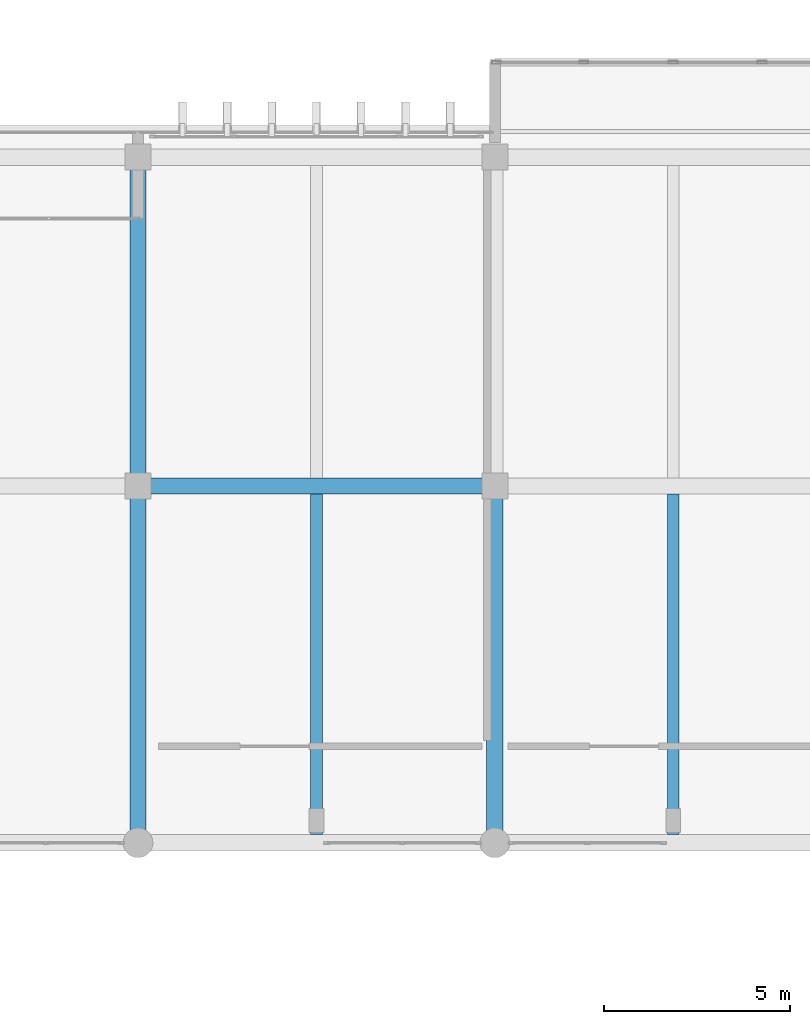
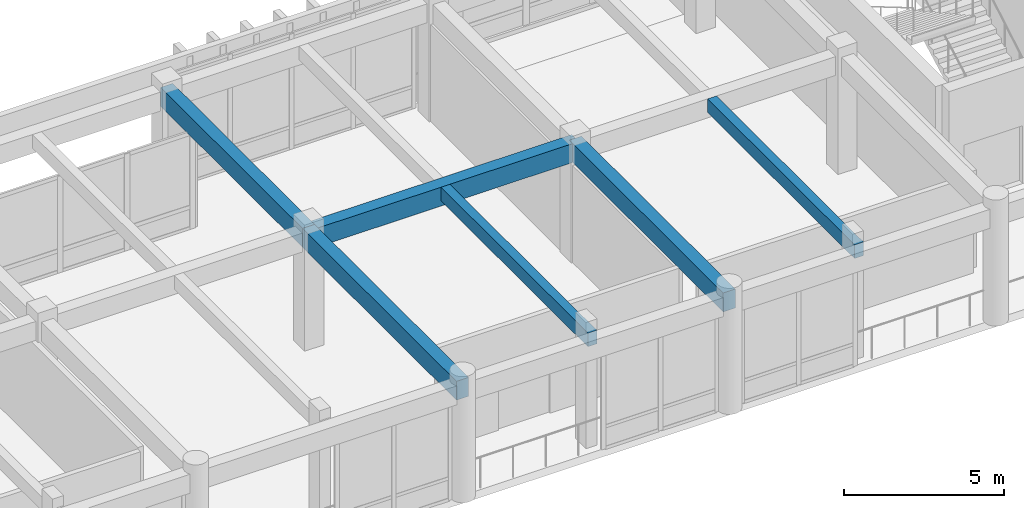
# One storey, part 43 of 133: 6 beams.
"""IFC4 building model written with IfcOpenShell, lengths in metres."""

from ifc_helpers import new_model, si_unit, direction, frame, origin, origin_2d, place, context, subcontext, project, spatial, rectangle, extrude, material, material_profile, profile_set, type_object, element, save


model = new_model("IFC4")

# Units and contexts
model_context = context("Model", 3, precision=1e-05, world=origin(), true_north=direction((0.0, 1.0)))
body_context = subcontext(model_context, "Body", "Model", "MODEL_VIEW")
ifc_project = project(units=[si_unit("LENGTHUNIT", "METRE"), si_unit("AREAUNIT", "SQUARE_METRE"), si_unit("VOLUMEUNIT", "CUBIC_METRE"), si_unit("PLANEANGLEUNIT", "RADIAN"), si_unit("MASSUNIT", "GRAM", prefix="KILO")], contexts=[model_context])

# Site, building, storey
site_placement = place(None, origin())
site = spatial("IfcSite", under=ifc_project, at=site_placement, CompositionType="ELEMENT")
building_placement = place(site_placement, origin())
building = spatial("IfcBuilding", under=site, at=building_placement, Name="Nakhvara Creek Congress Hotel", CompositionType="ELEMENT")
storey_placement = place(building_placement, frame((0.0, 0.0, 11.39990234375)))
storey = spatial("IfcBuildingStorey", under=building, at=storey_placement, Name="L02", CompositionType="ELEMENT", Elevation=11.39990234375)

# Beams
ifc_material = material(Name="Concrete C40/50", Category="concrete")
ifc_material_profile_1 = material_profile(ifc_material, rectangle(XDim=0.320068359375, YDim=0.52001953125, at=origin_2d()), Name="RC-BM 320x520", Category="LoadBearing")
ifc_profile_set_1 = profile_set([ifc_material_profile_1], Name="Concrete C40/50")
beam_type_1 = type_object("IfcBeamType", Name="BM-RC-320X520", PredefinedType="JOIST", material=ifc_profile_set_1)
for number, where, z_axis, x_axis, name in (
    (1, (100.800048828125, 77.02001953125, 4.16015625), (0.0, 1.0, 0.0), (-1.0, 0.0, 0.0), "Secondary Joist BJ2-L02-1678"),
    (2, (110.39990234375, 77.02001953125, 4.16015625), (0.0, 1.0, 0.0), (-1.0, 0.0, 0.0), "Secondary Joist BJ2-L02-1682"),
):
    element("IfcBeam", number, at=place(storey_placement, frame(where, z_axis=z_axis, x_axis=x_axis)), inside=storey, type_object=beam_type_1, Name=name, PredefinedType="JOIST", context=body_context, shape_type="SweptSolid", body=[
        extrude(rectangle(XDim=0.320068359375, YDim=0.52001953125, at=origin_2d()), origin(), (0.0, 0.0, 1.0), 9.159912109375),
    ])
ifc_material_profile_2 = material_profile(ifc_material, rectangle(XDim=0.43994140625, YDim=0.719970703125, at=origin_2d()), Name="RC-BM 440x720", Category="LoadBearing")
ifc_profile_set_2 = profile_set([ifc_material_profile_2], Name="Concrete C40/50")
beam_type_2 = type_object("IfcBeamType", Name="BM-RC-440X720", PredefinedType="BEAM", material=ifc_profile_set_2)
beam_1_placement = place(storey_placement, frame((96.0, 76.800048828125, 4.06005859375), z_axis=(0.0, 1.0, 0.0), x_axis=(-1.0, 0.0, 0.0)))
element("IfcBeam", 3, at=beam_1_placement, inside=storey, type_object=beam_type_2, Name="Beam B12-L02-1487", PredefinedType="BEAM", context=body_context, shape_type="SweptSolid", body=[
    extrude(rectangle(XDim=0.43994140625, YDim=0.719970703125, at=origin_2d()), origin(), (0.0, 0.0, 1.0), 9.599853515625),
])
beam_2_placement = place(storey_placement, frame((96.0, 86.39990234375, 4.06005859375), z_axis=(0.0, 1.0, 0.0), x_axis=(-1.0, 0.0, 0.0)))
element("IfcBeam", 4, at=beam_2_placement, inside=storey, type_object=beam_type_2, Name="Beam B12-L02-1489", PredefinedType="BEAM", context=body_context, shape_type="SweptSolid", body=[
    extrude(rectangle(XDim=0.43994140625, YDim=0.719970703125, at=origin_2d()), origin(), (0.0, 0.0, 1.0), 8.85009765625),
])
beam_3_placement = place(storey_placement, frame((96.0, 86.39990234375, 4.06005859375), z_axis=(1.0, 0.0, 0.0), x_axis=(0.0, 1.0, 0.0)))
element("IfcBeam", 5, at=beam_3_placement, inside=storey, type_object=beam_type_2, Name="Beam B12-L02-1490", PredefinedType="BEAM", context=body_context, shape_type="SweptSolid", body=[
    extrude(rectangle(XDim=0.43994140625, YDim=0.719970703125, at=origin_2d()), origin(), (0.0, 0.0, 1.0), 9.60009765625),
])
beam_4_placement = place(storey_placement, frame((105.60009765625, 76.800048828125, 4.06005859375), z_axis=(0.0, 1.0, 0.0), x_axis=(-1.0, 0.0, 0.0)))
element("IfcBeam", 6, at=beam_4_placement, inside=storey, type_object=beam_type_2, Name="Beam B12-L02-1500", PredefinedType="BEAM", context=body_context, shape_type="SweptSolid", body=[
    extrude(rectangle(XDim=0.43994140625, YDim=0.719970703125, at=origin_2d()), origin(), (0.0, 0.0, 1.0), 9.599853515625),
])

save(model, "model.ifc")
